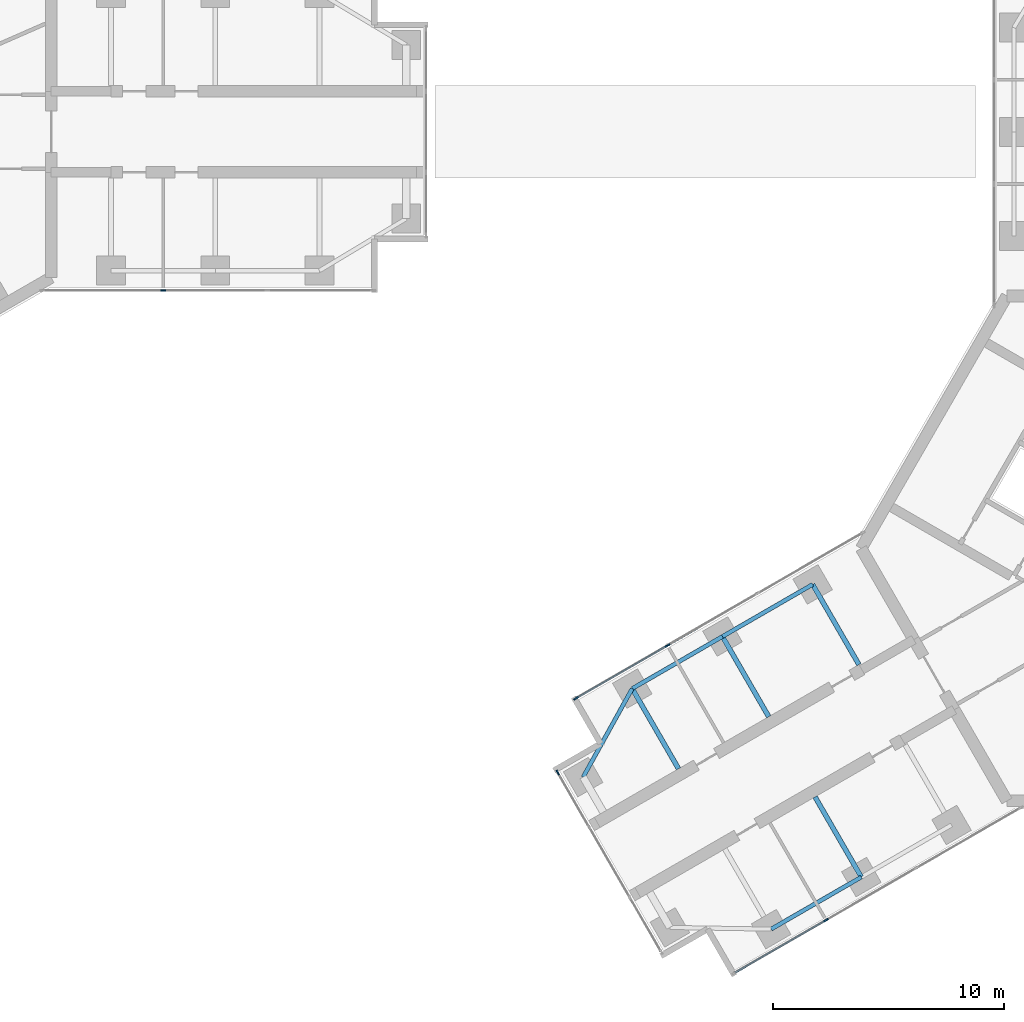
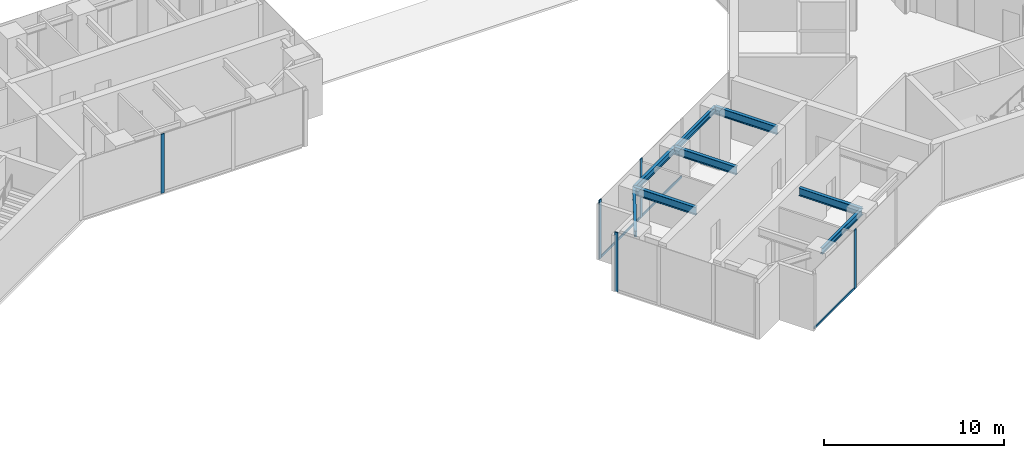
# One storey, part 3 of 18: 8 beams, 8 members, 4 elements without a shape of their own.
"""IFC4 building model written with IfcOpenShell, lengths in metres."""

from ifc_helpers import new_model, si_unit, direction, frame, origin, origin_2d, place, context, subcontext, project, spatial, rectangle, i_section, extrude, material, material_profile, profile_set, type_object, element, aggregate, save


model = new_model("IFC4")

# Units and contexts
model_context = context("Model", 3, precision=1e-05, world=origin(), true_north=direction((0.0, 1.0)))
body_context = subcontext(model_context, "Body", "Model", "MODEL_VIEW")
ifc_project = project(units=[si_unit("LENGTHUNIT", "METRE"), si_unit("AREAUNIT", "SQUARE_METRE"), si_unit("VOLUMEUNIT", "CUBIC_METRE"), si_unit("PLANEANGLEUNIT", "RADIAN"), si_unit("MASSUNIT", "GRAM", prefix="KILO")], contexts=[model_context])

# Site, building, storey
site_placement = place(None, origin())
site = spatial("IfcSite", under=ifc_project, at=site_placement, CompositionType="ELEMENT")
building_placement = place(site_placement, origin())
building = spatial("IfcBuilding", under=site, at=building_placement, Name="Upepo Twin Towers", CompositionType="ELEMENT")
storey_placement = place(building_placement, frame((0.0, 0.0, 170.5)))
storey = spatial("IfcBuildingStorey", under=building, at=storey_placement, Name="L41", CompositionType="ELEMENT", Elevation=170.5)

# Beams
ifc_material_1 = material(Name="Steel S355", Category="steel")
ifc_material_profile_1 = material_profile(ifc_material_1, i_section(OverallWidth=0.177978515625, OverallDepth=0.406494140625, WebThickness=0.0078125, FlangeThickness=0.0126953125, FilletRadius=0.01025390625, at=origin_2d()), Name="UB 406x178x60")
ifc_profile_set_1 = profile_set([ifc_material_profile_1], Name="Steel S355")
beam_type_1 = type_object("IfcBeamType", Name="Beam UB 406x178x60", PredefinedType="BEAM", material=ifc_profile_set_1)
beam_1_placement = place(storey_placement, frame((45.91162109375, -32.196044921875, 3.5966796875), z_axis=(-0.866031096941, -0.499990139034, 0.0), x_axis=(0.499990139034, -0.866031096941, 0.0)))
element("IfcBeam", 1, at=beam_1_placement, inside=storey, type_object=beam_type_1, Name="T2 edge beam BL 18.0-22.5", PredefinedType="BEAM", context=body_context, shape_type="SweptSolid", body=[
    extrude(i_section(OverallWidth=0.177978515625, OverallDepth=0.406494140625, WebThickness=0.0078125, FlangeThickness=0.0126953125, FilletRadius=0.01025390625, at=origin_2d()), origin(), (0.0, 0.0, 1.0), 4.5),
])
beam_2_placement = place(storey_placement, frame((43.80859375, -19.553955078125, 3.5966796875), z_axis=(-0.866017533419, -0.500013631625, 0.0), x_axis=(0.500013631625, -0.866017533419, 0.0)))
element("IfcBeam", 2, at=beam_2_placement, inside=storey, type_object=beam_type_1, Name="T2 edge beam BR 13.5-18.0", PredefinedType="BEAM", context=body_context, shape_type="SweptSolid", body=[
    extrude(i_section(OverallWidth=0.177978515625, OverallDepth=0.406494140625, WebThickness=0.0078125, FlangeThickness=0.0126953125, FilletRadius=0.01025390625, at=origin_2d()), origin(), (0.0, 0.0, 1.0), 4.499755859375),
])
beam_3_placement = place(storey_placement, frame((39.91162109375, -21.803955078125, 3.5966796875), z_axis=(-0.866031096941, -0.499990139034, 0.0), x_axis=(0.499990139034, -0.866031096941, 0.0)))
element("IfcBeam", 3, at=beam_3_placement, inside=storey, type_object=beam_type_1, Name="T2 edge beam BR 18.0-22.5", PredefinedType="BEAM", context=body_context, shape_type="SweptSolid", body=[
    extrude(i_section(OverallWidth=0.177978515625, OverallDepth=0.406494140625, WebThickness=0.0078125, FlangeThickness=0.0126953125, FilletRadius=0.01025390625, at=origin_2d()), origin(), (0.0, 0.0, 1.0), 4.5),
])
beam_4_placement = place(storey_placement, frame((36.014404296875, -24.053955078125, 3.5966796875), z_axis=(-0.485363242752, -0.874312600038, 0.0), x_axis=(0.874312600038, -0.485363242752, 0.0)))
element("IfcBeam", 4, at=beam_4_placement, inside=storey, type_object=beam_type_1, Name="T2 nose edge beam BR", PredefinedType="BEAM", context=body_context, shape_type="SweptSolid", body=[
    extrude(i_section(OverallWidth=0.177978515625, OverallDepth=0.406494140625, WebThickness=0.0078125, FlangeThickness=0.0126953125, FilletRadius=0.01025390625, at=origin_2d()), origin(), (0.0, 0.0, 1.0), 4.373046875),
])
ifc_material_2 = material(Name="Steel S355", Category="steel")
ifc_material_profile_2 = material_profile(ifc_material_2, i_section(OverallWidth=0.209228515625, OverallDepth=0.533203125, WebThickness=0.010009765625, FlangeThickness=0.015625, FilletRadius=0.0126953125, at=origin_2d()), Name="UB 533x210x92")
ifc_profile_set_2 = profile_set([ifc_material_profile_2], Name="Steel S355")
beam_type_2 = type_object("IfcBeamType", Name="Beam UB 533x210x92", PredefinedType="BEAM", material=ifc_profile_set_2)
for number, where, z_axis, x_axis, name in (
    (5, (45.91162109375, -32.196044921875, 3.533447265625), (-0.49999894854, 0.866026010844, 0.0), (-0.866026010844, -0.49999894854, 0.0), "T2 girder BL at 18.0"),
    (6, (43.80859375, -19.553955078125, 3.533447265625), (0.49999894854, -0.866026010844, 0.0), (0.866026010844, 0.49999894854, 0.0), "T2 girder BR at 13.5"),
    (7, (39.91162109375, -21.803955078125, 3.533447265625), (0.49999894854, -0.866026010844, 0.0), (0.866026010844, 0.49999894854, 0.0), "T2 girder BR at 18.0"),
    (8, (36.014404296875, -24.053955078125, 3.533447265625), (0.49999894854, -0.866026010844, 0.0), (0.866026010844, 0.49999894854, 0.0), "T2 girder BR at 22.5"),
):
    element("IfcBeam", number, at=place(storey_placement, frame(where, z_axis=z_axis, x_axis=x_axis)), inside=storey, type_object=beam_type_2, Name=name, PredefinedType="BEAM", context=body_context, shape_type="SweptSolid", body=[
        extrude(i_section(OverallWidth=0.209228515625, OverallDepth=0.533203125, WebThickness=0.010009765625, FlangeThickness=0.015625, FilletRadius=0.0126953125, at=origin_2d()), origin(), (0.0, 0.0, 1.0), 4.0),
    ])

# Curtain wall, member
ifc_material_3 = material(Name="Aluminium and fritted glass", Category="aluminium")
curtain_wall_type = type_object("IfcCurtainWallType", Name="Tower curtain wall TW3, fritted glass", PredefinedType="NOTDEFINED", material=ifc_material_3)
curtain_wall_1_placement = place(storey_placement, origin())
curtain_wall_1 = element("IfcCurtainWall", 9, at=curtain_wall_1_placement, inside=storey, type_object=curtain_wall_type, Name="T1 L41 wing A flank R curtain wall", PredefinedType="NOTDEFINED")
ifc_material_4 = material(Name="Aluminium mullion", Category="aluminium")
ifc_material_profile_3 = material_profile(ifc_material_4, rectangle(XDim=0.06494140625, YDim=0.22509765625, at=origin_2d()), Name="MULLION 65x225")
ifc_profile_set_3 = profile_set([ifc_material_profile_3], Name="Aluminium mullion")
member_type_1 = type_object("IfcMemberType", Name="Mullion 65x225 TW3", PredefinedType="MULLION", material=ifc_profile_set_3)
member_1_placement = place(storey_placement, frame((15.75, -6.85009765625, 0.0), z_axis=(0.0, 0.0, 1.0), x_axis=(0.0, -1.0, 0.0)))
member_1 = element("IfcMember", 10, at=member_1_placement, type_object=member_type_1, Name="T1 L41 wing A flank R curtain wall mullion 3", PredefinedType="MULLION", context=body_context, shape_type="SweptSolid", body=[
    extrude(rectangle(XDim=0.06494140625, YDim=0.22509765625, at=origin_2d()), origin(), (0.0, 0.0, 1.0), 4.0),
])
aggregate(curtain_wall_1, [member_1])

curtain_wall_2_placement = place(storey_placement, origin())
curtain_wall_2 = element("IfcCurtainWall", 11, at=curtain_wall_2_placement, inside=storey, type_object=curtain_wall_type, Name="T2 L41 wing B flank L curtain wall", PredefinedType="NOTDEFINED")
member_2_placement = place(storey_placement, frame((44.387939453125, -34.057373046875, 0.0), z_axis=(0.0, 0.0, 1.0), x_axis=(0.500000026527, -0.866025388469, 0.0)))
member_2 = element("IfcMember", 12, at=member_2_placement, type_object=member_type_1, Name="T2 L41 wing B flank L curtain wall mullion 3", PredefinedType="MULLION", context=body_context, shape_type="SweptSolid", body=[
    extrude(rectangle(XDim=0.06494140625, YDim=0.22509765625, at=origin_2d()), origin(), (0.0, 0.0, 1.0), 4.0),
])

# Curtain wall, members
curtain_wall_3_placement = place(storey_placement, origin())
curtain_wall_3 = element("IfcCurtainWall", 13, at=curtain_wall_3_placement, inside=storey, type_object=curtain_wall_type, Name="T2 L41 wing B flank R curtain wall", PredefinedType="NOTDEFINED")
member_3_placement = place(storey_placement, frame((33.58251953125, -24.4765625, 0.0), z_axis=(0.0, 0.0, 1.0), x_axis=(-0.500000026527, 0.866025388469, 0.0)))
member_3 = element("IfcMember", 14, at=member_3_placement, type_object=member_type_1, Name="T2 L41 wing B flank R curtain wall mullion 1", PredefinedType="MULLION", context=body_context, shape_type="SweptSolid", body=[
    extrude(rectangle(XDim=0.06494140625, YDim=0.22509765625, at=origin_2d()), origin(), (0.0, 0.0, 1.0), 4.0),
])
member_4_placement = place(storey_placement, frame((37.5380859375, -22.192626953125, 0.0), z_axis=(0.0, 0.0, 1.0), x_axis=(-0.500000026527, 0.866025388469, 0.0)))
member_4 = element("IfcMember", 15, at=member_4_placement, type_object=member_type_1, Name="T2 L41 wing B flank R curtain wall mullion 2", PredefinedType="MULLION", context=body_context, shape_type="SweptSolid", body=[
    extrude(rectangle(XDim=0.06494140625, YDim=0.22509765625, at=origin_2d()), origin(), (0.0, 0.0, 1.0), 4.0),
])

# Curtain wall, member
curtain_wall_4_placement = place(storey_placement, origin())
curtain_wall_4 = element("IfcCurtainWall", 16, at=curtain_wall_4_placement, inside=storey, type_object=curtain_wall_type, Name="T2 L41 wing B nose curtain wall", PredefinedType="NOTDEFINED")
member_5_placement = place(storey_placement, frame((32.796875, -27.68115234375, 0.0), z_axis=(0.0, 0.0, 1.0), x_axis=(0.866025386174, 0.500000030502, 0.0)))
member_5 = element("IfcMember", 17, at=member_5_placement, type_object=member_type_1, Name="T2 L41 wing B nose curtain wall mullion 1", PredefinedType="MULLION", context=body_context, shape_type="SweptSolid", body=[
    extrude(rectangle(XDim=0.06494140625, YDim=0.22509765625, at=origin_2d()), origin(), (0.0, 0.0, 1.0), 4.0),
])
aggregate(curtain_wall_4, [member_5])

# Member
ifc_material_5 = material(Name="Aluminium transom", Category="aluminium")
ifc_material_profile_4 = material_profile(ifc_material_5, rectangle(XDim=0.06494140625, YDim=0.14990234375, at=origin_2d()), Name="TRANSOM 65x150")
ifc_profile_set_4 = profile_set([ifc_material_profile_4], Name="Aluminium transom")
member_type_2 = type_object("IfcMemberType", Name="Transom 65x150 TW3", PredefinedType="USERDEFINED", material=ifc_profile_set_4)
member_6_placement = place(storey_placement, frame((44.35986328125, -34.073486328125, 0.074951171875), z_axis=(-0.866035699072, -0.499982167615, 0.0), x_axis=(0.499982167615, -0.866035699072, 0.0)))
member_6 = element("IfcMember", 18, at=member_6_placement, type_object=member_type_2, Name="T2 L41 wing B flank L curtain wall transom 3", ObjectType="TRANSOM", PredefinedType="USERDEFINED", context=body_context, shape_type="SweptSolid", body=[
    extrude(rectangle(XDim=0.06494140625, YDim=0.14990234375, at=origin_2d()), origin(), (0.0, 0.0, 1.0), 4.502685546875),
])

aggregate(curtain_wall_2, [member_2, member_6])

member_7_placement = place(storey_placement, frame((33.610595703125, -24.460205078125, 0.074951171875), z_axis=(0.866022143554, 0.500005646842, 0.0), x_axis=(-0.500005646842, 0.866022143554, 0.0)))
member_7 = element("IfcMember", 19, at=member_7_placement, type_object=member_type_2, Name="T2 L41 wing B flank R curtain wall transom 1", ObjectType="TRANSOM", PredefinedType="USERDEFINED", context=body_context, shape_type="SweptSolid", body=[
    extrude(rectangle(XDim=0.06494140625, YDim=0.14990234375, at=origin_2d()), origin(), (0.0, 0.0, 1.0), 4.50244140625),
])

member_8_placement = place(storey_placement, frame((37.566162109375, -22.176513671875, 0.074951171875), z_axis=(0.866022410713, 0.500005184116, 0.0), x_axis=(-0.500005184116, 0.866022410713, 0.0)))
member_8 = element("IfcMember", 20, at=member_8_placement, type_object=member_type_2, Name="T2 L41 wing B flank R curtain wall transom 2", ObjectType="TRANSOM", PredefinedType="USERDEFINED", context=body_context, shape_type="SweptSolid", body=[
    extrude(rectangle(XDim=0.06494140625, YDim=0.14990234375, at=origin_2d()), origin(), (0.0, 0.0, 1.0), 4.43505859375),
])

aggregate(curtain_wall_3, [member_3, member_4, member_7, member_8])

save(model, "model.ifc")
